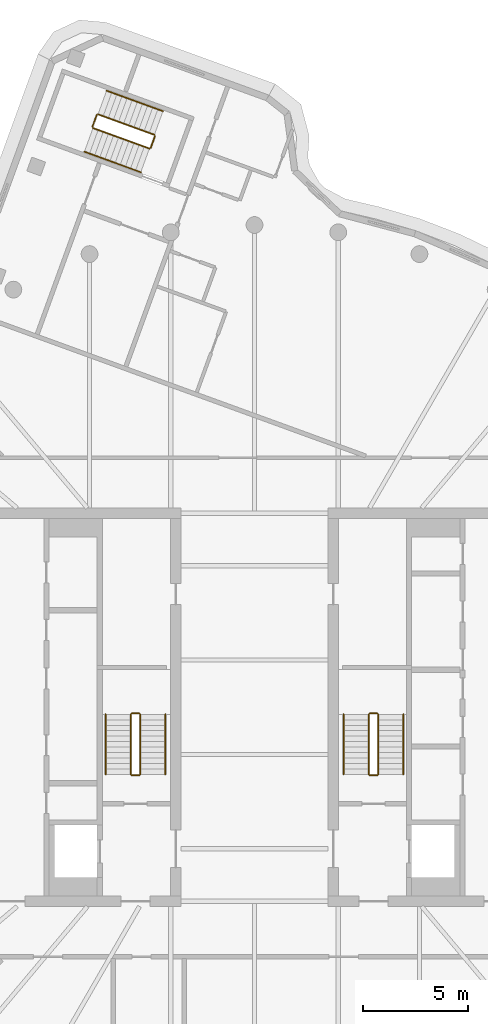
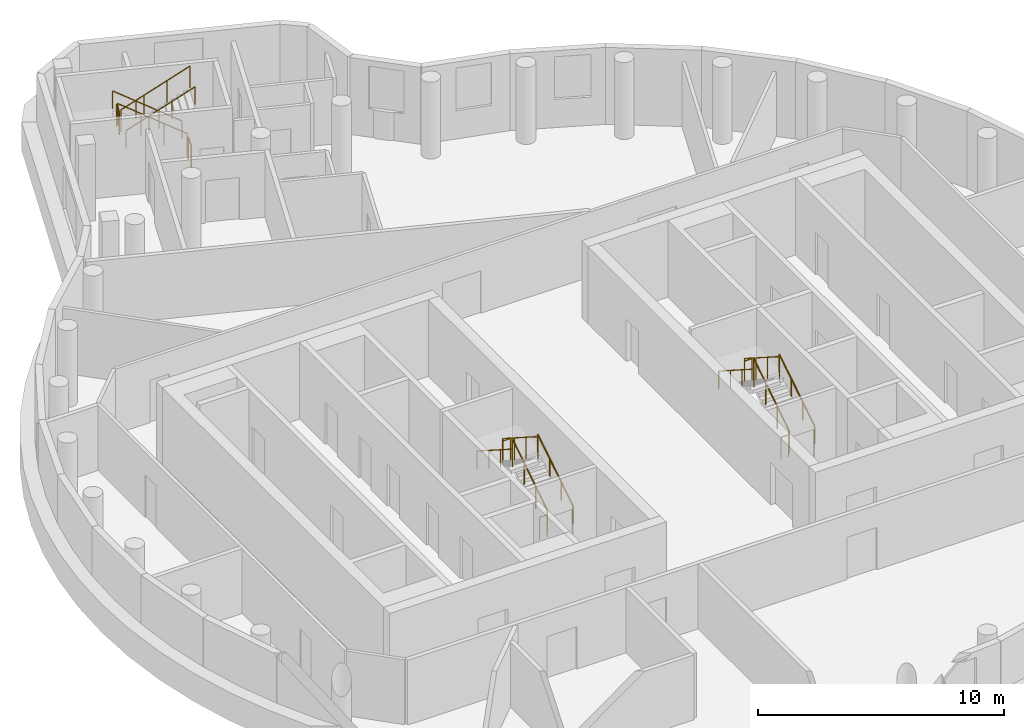
# One storey, part 7 of 7: 18 railings.
"""IFC4 building model written with IfcOpenShell, lengths in metres."""

from ifc_helpers import new_model, si_unit, direction, frame, origin, origin_2d, place, context, subcontext, project, spatial, circle, extrude, material, type_object, element, save


model = new_model("IFC4")

# Units and contexts
model_context = context("Model", 3, precision=1e-05, world=origin(), true_north=direction((0.0, 1.0)))
body_context = subcontext(model_context, "Body", "Model", "MODEL_VIEW")
ifc_project = project(units=[si_unit("LENGTHUNIT", "METRE"), si_unit("AREAUNIT", "SQUARE_METRE"), si_unit("VOLUMEUNIT", "CUBIC_METRE"), si_unit("PLANEANGLEUNIT", "RADIAN"), si_unit("MASSUNIT", "GRAM", prefix="KILO")], contexts=[model_context])

# Site, building, storey
site_placement = place(None, origin())
site = spatial("IfcSite", under=ifc_project, at=site_placement, CompositionType="ELEMENT")
building_placement = place(site_placement, origin())
building = spatial("IfcBuilding", under=site, at=building_placement, Name="Tamarind Cross Interchange Tower", CompositionType="ELEMENT")
storey_placement = place(building_placement, frame((0.0, 0.0, 313.39990234375)))
storey = spatial("IfcBuildingStorey", under=building, at=storey_placement, Name="L77", CompositionType="ELEMENT", Elevation=313.39990234375)

# Railings
ifc_material_1 = material(Name="Stair guard")
railing_type_1 = type_object("IfcRailingType", Name="Stair guard", PredefinedType="GUARDRAIL", material=ifc_material_1)
railing_1_placement = place(storey_placement, frame((-5.449951171875, -3.199951171875, 0.166748046875)))
element("IfcRailing", 1, at=railing_1_placement, inside=storey, type_object=railing_type_1, Name="L77 ST1 stair guard 1", PredefinedType="GUARDRAIL", context=body_context, shape_type="SweptSolid", body=[
    extrude(circle(Radius=0.02392578125, at=origin_2d()), frame((0.0, 0.0, 1.076171875), z_axis=(0.0, 0.841878301714, 0.539667420827), x_axis=(-1.0, 0.0, 0.0)), (0.0, 0.0, 1.0), 3.39697265625),
    extrude(circle(Radius=0.02099609375, at=origin_2d()), origin(), (0.0, 0.0, 1.0), 1.052001953125),
    extrude(circle(Radius=0.02099609375, at=origin_2d()), frame((0.0, 0.953369140625, 0.611083984375)), (0.0, 0.0, 1.0), 1.052001953125),
    extrude(circle(Radius=0.02099609375, at=origin_2d()), frame((0.0, 1.906494140625, 1.22216796875)), (0.0, 0.0, 1.0), 1.052001953125),
    extrude(circle(Radius=0.02099609375, at=origin_2d()), frame((0.0, 2.85986328125, 1.833251953125)), (0.0, 0.0, 1.0), 1.052001953125),
])
railing_2_placement = place(storey_placement, frame((-5.5, -0.2900390625, 2.0)))
element("IfcRailing", 2, at=railing_2_placement, inside=storey, type_object=railing_type_1, Name="L77 ST1 stair guard 2", PredefinedType="GUARDRAIL", context=body_context, shape_type="SweptSolid", body=[
    extrude(circle(Radius=0.02392578125, at=origin_2d()), frame((0.0, 0.0, 1.076171875), z_axis=(-1.0, 0.0, 0.0), x_axis=(0.0, -1.0, 0.0)), (0.0, 0.0, 1.0), 0.35009765625),
    extrude(circle(Radius=0.02099609375, at=origin_2d()), origin(), (0.0, 0.0, 1.0), 1.052001953125),
    extrude(circle(Radius=0.02099609375, at=origin_2d()), frame((-0.35009765625, 0.0, 0.0)), (0.0, 0.0, 1.0), 1.052001953125),
])
railing_3_placement = place(storey_placement, frame((-5.89990234375, -0.340087890625, 2.166748046875)))
element("IfcRailing", 3, at=railing_3_placement, inside=storey, type_object=railing_type_1, Name="L77 ST1 stair guard 3", PredefinedType="GUARDRAIL", context=body_context, shape_type="SweptSolid", body=[
    extrude(circle(Radius=0.02392578125, at=origin_2d()), frame((0.0, 0.0, 1.076171875), z_axis=(0.0, -0.841878301714, 0.539667420827), x_axis=(1.0, 0.0, 0.0)), (0.0, 0.0, 1.0), 3.39697265625),
    extrude(circle(Radius=0.02099609375, at=origin_2d()), origin(), (0.0, 0.0, 1.0), 1.052001953125),
    extrude(circle(Radius=0.02099609375, at=origin_2d()), frame((0.0, -0.953369140625, 0.611083984375)), (0.0, 0.0, 1.0), 1.052001953125),
    extrude(circle(Radius=0.02099609375, at=origin_2d()), frame((0.0, -1.906494140625, 1.22216796875)), (0.0, 0.0, 1.0), 1.052001953125),
    extrude(circle(Radius=0.02099609375, at=origin_2d()), frame((0.0, -2.85986328125, 1.833251953125)), (0.0, 0.0, 1.0), 1.052001953125),
])
railing_4_placement = place(storey_placement, frame((-5.5, -3.25, 0.0)))
element("IfcRailing", 4, at=railing_4_placement, inside=storey, type_object=railing_type_1, Name="L77 ST1 stair guard 4", PredefinedType="GUARDRAIL", context=body_context, shape_type="SweptSolid", body=[
    extrude(circle(Radius=0.02392578125, at=origin_2d()), frame((0.0, 0.0, 1.076171875), z_axis=(-1.0, 0.0, 0.0), x_axis=(0.0, -1.0, 0.0)), (0.0, 0.0, 1.0), 0.35009765625),
    extrude(circle(Radius=0.02099609375, at=origin_2d()), origin(), (0.0, 0.0, 1.0), 1.052001953125),
    extrude(circle(Radius=0.02099609375, at=origin_2d()), frame((-0.35009765625, 0.0, 0.0)), (0.0, 0.0, 1.0), 1.052001953125),
])
railing_5_placement = place(storey_placement, frame((5.89990234375, -3.199951171875, 0.166748046875)))
element("IfcRailing", 5, at=railing_5_placement, inside=storey, type_object=railing_type_1, Name="L77 ST2 stair guard 1", PredefinedType="GUARDRAIL", context=body_context, shape_type="SweptSolid", body=[
    extrude(circle(Radius=0.02392578125, at=origin_2d()), frame((0.0, 0.0, 1.076171875), z_axis=(0.0, 0.841878301714, 0.539667420827), x_axis=(-1.0, 0.0, 0.0)), (0.0, 0.0, 1.0), 3.39697265625),
    extrude(circle(Radius=0.02099609375, at=origin_2d()), origin(), (0.0, 0.0, 1.0), 1.052001953125),
    extrude(circle(Radius=0.02099609375, at=origin_2d()), frame((0.0, 0.953369140625, 0.611083984375)), (0.0, 0.0, 1.0), 1.052001953125),
    extrude(circle(Radius=0.02099609375, at=origin_2d()), frame((0.0, 1.906494140625, 1.22216796875)), (0.0, 0.0, 1.0), 1.052001953125),
    extrude(circle(Radius=0.02099609375, at=origin_2d()), frame((0.0, 2.85986328125, 1.833251953125)), (0.0, 0.0, 1.0), 1.052001953125),
])
railing_6_placement = place(storey_placement, frame((5.85009765625, -0.2900390625, 2.0)))
element("IfcRailing", 6, at=railing_6_placement, inside=storey, type_object=railing_type_1, Name="L77 ST2 stair guard 2", PredefinedType="GUARDRAIL", context=body_context, shape_type="SweptSolid", body=[
    extrude(circle(Radius=0.02392578125, at=origin_2d()), frame((0.0, 0.0, 1.076171875), z_axis=(-1.0, 0.0, 0.0), x_axis=(0.0, -1.0, 0.0)), (0.0, 0.0, 1.0), 0.35009765625),
    extrude(circle(Radius=0.02099609375, at=origin_2d()), origin(), (0.0, 0.0, 1.0), 1.052001953125),
    extrude(circle(Radius=0.02099609375, at=origin_2d()), frame((-0.35009765625, 0.0, 0.0)), (0.0, 0.0, 1.0), 1.052001953125),
])
railing_7_placement = place(storey_placement, frame((5.449951171875, -0.340087890625, 2.166748046875)))
element("IfcRailing", 7, at=railing_7_placement, inside=storey, type_object=railing_type_1, Name="L77 ST2 stair guard 3", PredefinedType="GUARDRAIL", context=body_context, shape_type="SweptSolid", body=[
    extrude(circle(Radius=0.02392578125, at=origin_2d()), frame((0.0, 0.0, 1.076171875), z_axis=(0.0, -0.841878301714, 0.539667420827), x_axis=(1.0, 0.0, 0.0)), (0.0, 0.0, 1.0), 3.39697265625),
    extrude(circle(Radius=0.02099609375, at=origin_2d()), origin(), (0.0, 0.0, 1.0), 1.052001953125),
    extrude(circle(Radius=0.02099609375, at=origin_2d()), frame((0.0, -0.953369140625, 0.611083984375)), (0.0, 0.0, 1.0), 1.052001953125),
    extrude(circle(Radius=0.02099609375, at=origin_2d()), frame((0.0, -1.906494140625, 1.22216796875)), (0.0, 0.0, 1.0), 1.052001953125),
    extrude(circle(Radius=0.02099609375, at=origin_2d()), frame((0.0, -2.85986328125, 1.833251953125)), (0.0, 0.0, 1.0), 1.052001953125),
])
railing_8_placement = place(storey_placement, frame((5.85009765625, -3.25, 0.0)))
element("IfcRailing", 8, at=railing_8_placement, inside=storey, type_object=railing_type_1, Name="L77 ST2 stair guard 4", PredefinedType="GUARDRAIL", context=body_context, shape_type="SweptSolid", body=[
    extrude(circle(Radius=0.02392578125, at=origin_2d()), frame((0.0, 0.0, 1.076171875), z_axis=(-1.0, 0.0, 0.0), x_axis=(0.0, -1.0, 0.0)), (0.0, 0.0, 1.0), 0.35009765625),
    extrude(circle(Radius=0.02099609375, at=origin_2d()), origin(), (0.0, 0.0, 1.0), 1.052001953125),
    extrude(circle(Radius=0.02099609375, at=origin_2d()), frame((-0.35009765625, 0.0, 0.0)), (0.0, 0.0, 1.0), 1.052001953125),
])
railing_9_placement = place(storey_placement, frame((-4.7744140625, 27.302490234375, 0.166748046875)))
element("IfcRailing", 9, at=railing_9_placement, inside=storey, type_object=railing_type_1, Name="L77 ST4 stair guard 1", PredefinedType="GUARDRAIL", context=body_context, shape_type="SweptSolid", body=[
    extrude(circle(Radius=0.02392578125, at=origin_2d()), frame((0.0, 0.0, 1.076171875), z_axis=(-0.791109245406, 0.287970089602, 0.539647467638), x_axis=(-0.342051474784, -0.939681216476, 0.0)), (0.0, 0.0, 1.0), 3.397216796875),
    extrude(circle(Radius=0.02099609375, at=origin_2d()), origin(), (0.0, 0.0, 1.0), 1.052001953125),
    extrude(circle(Radius=0.02099609375, at=origin_2d()), frame((-0.895751953125, 0.326171875, 0.611083984375)), (0.0, 0.0, 1.0), 1.052001953125),
    extrude(circle(Radius=0.02099609375, at=origin_2d()), frame((-1.791748046875, 0.652099609375, 1.22216796875)), (0.0, 0.0, 1.0), 1.052001953125),
    extrude(circle(Radius=0.02099609375, at=origin_2d()), frame((-2.6875, 0.978271484375, 1.833251953125)), (0.0, 0.0, 1.0), 1.052001953125),
])
railing_10_placement = place(storey_placement, frame((-7.526123046875, 28.250732421875, 2.0)))
element("IfcRailing", 10, at=railing_10_placement, inside=storey, type_object=railing_type_1, Name="L77 ST4 stair guard 2", PredefinedType="GUARDRAIL", context=body_context, shape_type="SweptSolid", body=[
    extrude(circle(Radius=0.02392578125, at=origin_2d()), frame((0.0, 0.0, 1.076171875), z_axis=(-0.341873772729, -0.939745882417, 0.0), x_axis=(0.939745882417, -0.341873772729, 0.0)), (0.0, 0.0, 1.0), 0.599853515625),
    extrude(circle(Radius=0.02099609375, at=origin_2d()), origin(), (0.0, 0.0, 1.0), 1.052001953125),
    extrude(circle(Radius=0.02099609375, at=origin_2d()), frame((-0.205078125, -0.563720703125, 0.0)), (0.0, 0.0, 1.0), 1.052001953125),
])
railing_11_placement = place(storey_placement, frame((-7.701416015625, 27.622802734375, 2.166748046875)))
element("IfcRailing", 11, at=railing_11_placement, inside=storey, type_object=railing_type_1, Name="L77 ST4 stair guard 3", PredefinedType="GUARDRAIL", context=body_context, shape_type="SweptSolid", body=[
    extrude(circle(Radius=0.02392578125, at=origin_2d()), frame((0.0, 0.0, 1.076171875), z_axis=(0.791125616254, -0.287904180479, 0.539658634852), x_axis=(0.34197609546, 0.939708651729, 0.0)), (0.0, 0.0, 1.0), 3.39697265625),
    extrude(circle(Radius=0.02099609375, at=origin_2d()), origin(), (0.0, 0.0, 1.0), 1.052001953125),
    extrude(circle(Radius=0.02099609375, at=origin_2d()), frame((0.895751953125, -0.325927734375, 0.611083984375)), (0.0, 0.0, 1.0), 1.052001953125),
    extrude(circle(Radius=0.02099609375, at=origin_2d()), frame((1.791748046875, -0.652099609375, 1.22216796875)), (0.0, 0.0, 1.0), 1.052001953125),
    extrude(circle(Radius=0.02099609375, at=origin_2d()), frame((2.6875, -0.97802734375, 1.833251953125)), (0.0, 0.0, 1.0), 1.052001953125),
])
railing_12_placement = place(storey_placement, frame((-4.74462890625, 27.238525390625, 0.0)))
element("IfcRailing", 12, at=railing_12_placement, inside=storey, type_object=railing_type_1, Name="L77 ST4 stair guard 4", PredefinedType="GUARDRAIL", context=body_context, shape_type="SweptSolid", body=[
    extrude(circle(Radius=0.02392578125, at=origin_2d()), frame((0.0, 0.0, 1.076171875), z_axis=(-0.341743063087, -0.939793423488, 0.0), x_axis=(0.939793423488, -0.341743063087, 0.0)), (0.0, 0.0, 1.0), 0.60009765625),
    extrude(circle(Radius=0.02099609375, at=origin_2d()), origin(), (0.0, 0.0, 1.0), 1.052001953125),
    extrude(circle(Radius=0.02099609375, at=origin_2d()), frame((-0.205078125, -0.56396484375, 0.0)), (0.0, 0.0, 1.0), 1.052001953125),
])
ifc_material_2 = material(Name="Stair handrail")
railing_type_2 = type_object("IfcRailingType", Name="Stair handrail", PredefinedType="HANDRAIL", material=ifc_material_2)
railing_13_placement = place(storey_placement, frame((-4.25, -3.199951171875, 0.166748046875)))
element("IfcRailing", 13, at=railing_13_placement, inside=storey, type_object=railing_type_2, Name="L77 ST1 stair handrail 1", PredefinedType="HANDRAIL", context=body_context, shape_type="SweptSolid", body=[
    extrude(circle(Radius=0.02392578125, at=origin_2d()), frame((0.0, 0.0, 0.8759765625), z_axis=(0.0, 0.841878301714, 0.539667420827), x_axis=(-1.0, 0.0, 0.0)), (0.0, 0.0, 1.0), 3.39697265625),
    extrude(circle(Radius=0.02099609375, at=origin_2d()), origin(), (0.0, 0.0, 1.0), 0.851806640625),
    extrude(circle(Radius=0.02099609375, at=origin_2d()), frame((0.0, 0.953369140625, 0.611083984375)), (0.0, 0.0, 1.0), 0.851806640625),
    extrude(circle(Radius=0.02099609375, at=origin_2d()), frame((0.0, 1.906494140625, 1.22216796875)), (0.0, 0.0, 1.0), 0.851806640625),
    extrude(circle(Radius=0.02099609375, at=origin_2d()), frame((0.0, 2.85986328125, 1.833251953125)), (0.0, 0.0, 1.0), 0.851806640625),
])
railing_14_placement = place(storey_placement, frame((-7.10009765625, -0.340087890625, 2.166748046875)))
element("IfcRailing", 14, at=railing_14_placement, inside=storey, type_object=railing_type_2, Name="L77 ST1 stair handrail 2", PredefinedType="HANDRAIL", context=body_context, shape_type="SweptSolid", body=[
    extrude(circle(Radius=0.02392578125, at=origin_2d()), frame((0.0, 0.0, 0.8759765625), z_axis=(0.0, -0.841878301714, 0.539667420827), x_axis=(1.0, 0.0, 0.0)), (0.0, 0.0, 1.0), 3.39697265625),
    extrude(circle(Radius=0.02099609375, at=origin_2d()), origin(), (0.0, 0.0, 1.0), 0.851806640625),
    extrude(circle(Radius=0.02099609375, at=origin_2d()), frame((0.0, -0.953369140625, 0.611083984375)), (0.0, 0.0, 1.0), 0.851806640625),
    extrude(circle(Radius=0.02099609375, at=origin_2d()), frame((0.0, -1.906494140625, 1.22216796875)), (0.0, 0.0, 1.0), 0.851806640625),
    extrude(circle(Radius=0.02099609375, at=origin_2d()), frame((0.0, -2.85986328125, 1.833251953125)), (0.0, 0.0, 1.0), 0.851806640625),
])
railing_15_placement = place(storey_placement, frame((7.10009765625, -3.199951171875, 0.166748046875)))
element("IfcRailing", 15, at=railing_15_placement, inside=storey, type_object=railing_type_2, Name="L77 ST2 stair handrail 1", PredefinedType="HANDRAIL", context=body_context, shape_type="SweptSolid", body=[
    extrude(circle(Radius=0.02392578125, at=origin_2d()), frame((0.0, 0.0, 0.8759765625), z_axis=(0.0, 0.841878301714, 0.539667420827), x_axis=(-1.0, 0.0, 0.0)), (0.0, 0.0, 1.0), 3.39697265625),
    extrude(circle(Radius=0.02099609375, at=origin_2d()), origin(), (0.0, 0.0, 1.0), 0.851806640625),
    extrude(circle(Radius=0.02099609375, at=origin_2d()), frame((0.0, 0.953369140625, 0.611083984375)), (0.0, 0.0, 1.0), 0.851806640625),
    extrude(circle(Radius=0.02099609375, at=origin_2d()), frame((0.0, 1.906494140625, 1.22216796875)), (0.0, 0.0, 1.0), 0.851806640625),
    extrude(circle(Radius=0.02099609375, at=origin_2d()), frame((0.0, 2.85986328125, 1.833251953125)), (0.0, 0.0, 1.0), 0.851806640625),
])
railing_16_placement = place(storey_placement, frame((4.25, -0.340087890625, 2.166748046875)))
element("IfcRailing", 16, at=railing_16_placement, inside=storey, type_object=railing_type_2, Name="L77 ST2 stair handrail 2", PredefinedType="HANDRAIL", context=body_context, shape_type="SweptSolid", body=[
    extrude(circle(Radius=0.02392578125, at=origin_2d()), frame((0.0, 0.0, 0.8759765625), z_axis=(0.0, -0.841878301714, 0.539667420827), x_axis=(1.0, 0.0, 0.0)), (0.0, 0.0, 1.0), 3.39697265625),
    extrude(circle(Radius=0.02099609375, at=origin_2d()), origin(), (0.0, 0.0, 1.0), 0.851806640625),
    extrude(circle(Radius=0.02099609375, at=origin_2d()), frame((0.0, -0.953369140625, 0.611083984375)), (0.0, 0.0, 1.0), 0.851806640625),
    extrude(circle(Radius=0.02099609375, at=origin_2d()), frame((0.0, -1.906494140625, 1.22216796875)), (0.0, 0.0, 1.0), 0.851806640625),
    extrude(circle(Radius=0.02099609375, at=origin_2d()), frame((0.0, -2.85986328125, 1.833251953125)), (0.0, 0.0, 1.0), 0.851806640625),
])
railing_17_placement = place(storey_placement, frame((-4.364013671875, 28.43017578125, 0.166748046875)))
element("IfcRailing", 17, at=railing_17_placement, inside=storey, type_object=railing_type_2, Name="L77 ST4 stair handrail 1", PredefinedType="HANDRAIL", context=body_context, shape_type="SweptSolid", body=[
    extrude(circle(Radius=0.02392578125, at=origin_2d()), frame((0.0, 0.0, 0.8759765625), z_axis=(-0.791125616254, 0.287904180479, 0.539658634852), x_axis=(-0.34197609546, -0.939708651729, 0.0)), (0.0, 0.0, 1.0), 3.39697265625),
    extrude(circle(Radius=0.02099609375, at=origin_2d()), origin(), (0.0, 0.0, 1.0), 0.851806640625),
    extrude(circle(Radius=0.02099609375, at=origin_2d()), frame((-0.895751953125, 0.325927734375, 0.611083984375)), (0.0, 0.0, 1.0), 0.851806640625),
    extrude(circle(Radius=0.02099609375, at=origin_2d()), frame((-1.791748046875, 0.652099609375, 1.22216796875)), (0.0, 0.0, 1.0), 0.851806640625),
    extrude(circle(Radius=0.02099609375, at=origin_2d()), frame((-2.6875, 0.97802734375, 1.833251953125)), (0.0, 0.0, 1.0), 0.851806640625),
])
railing_18_placement = place(storey_placement, frame((-8.11181640625, 26.4951171875, 2.166748046875)))
element("IfcRailing", 18, at=railing_18_placement, inside=storey, type_object=railing_type_2, Name="L77 ST4 stair handrail 2", PredefinedType="HANDRAIL", context=body_context, shape_type="SweptSolid", body=[
    extrude(circle(Radius=0.02392578125, at=origin_2d()), frame((0.0, 0.0, 0.8759765625), z_axis=(0.791125616254, -0.287904180479, 0.539658634852), x_axis=(0.34197609546, 0.939708651729, 0.0)), (0.0, 0.0, 1.0), 3.39697265625),
    extrude(circle(Radius=0.02099609375, at=origin_2d()), origin(), (0.0, 0.0, 1.0), 0.851806640625),
    extrude(circle(Radius=0.02099609375, at=origin_2d()), frame((0.895751953125, -0.325927734375, 0.611083984375)), (0.0, 0.0, 1.0), 0.851806640625),
    extrude(circle(Radius=0.02099609375, at=origin_2d()), frame((1.791748046875, -0.652099609375, 1.22216796875)), (0.0, 0.0, 1.0), 0.851806640625),
    extrude(circle(Radius=0.02099609375, at=origin_2d()), frame((2.6875, -0.97802734375, 1.833251953125)), (0.0, 0.0, 1.0), 0.851806640625),
])

save(model, "model.ifc")
